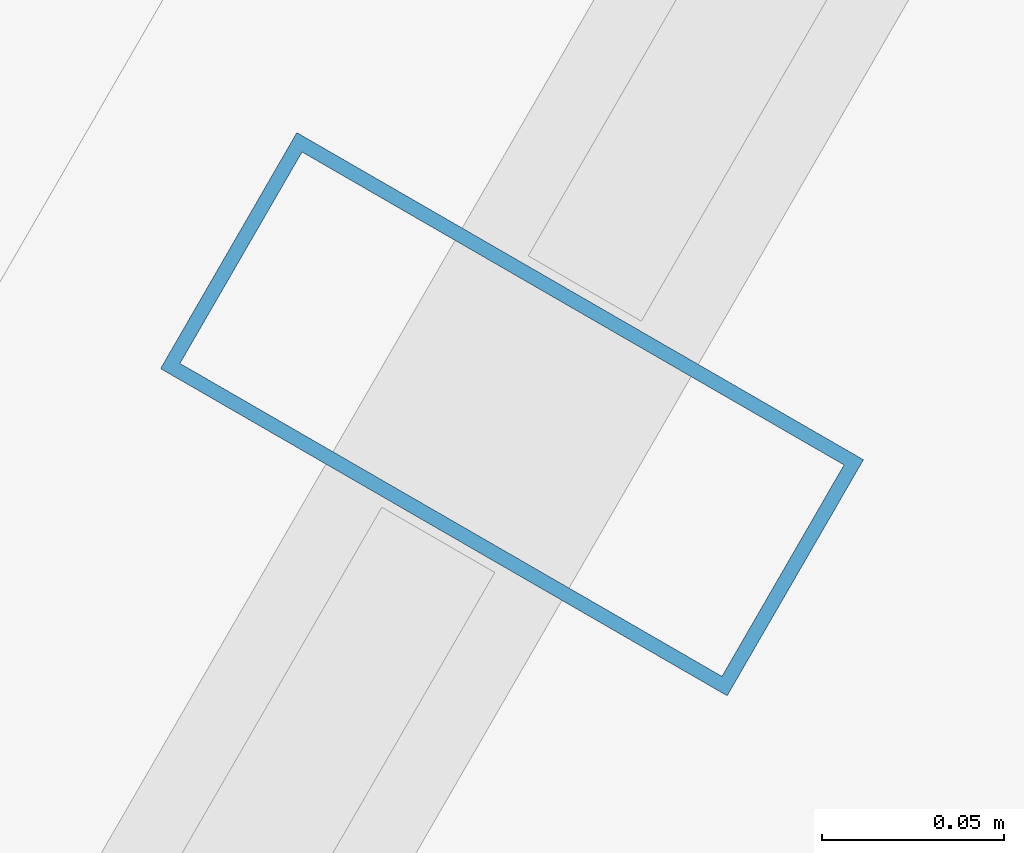
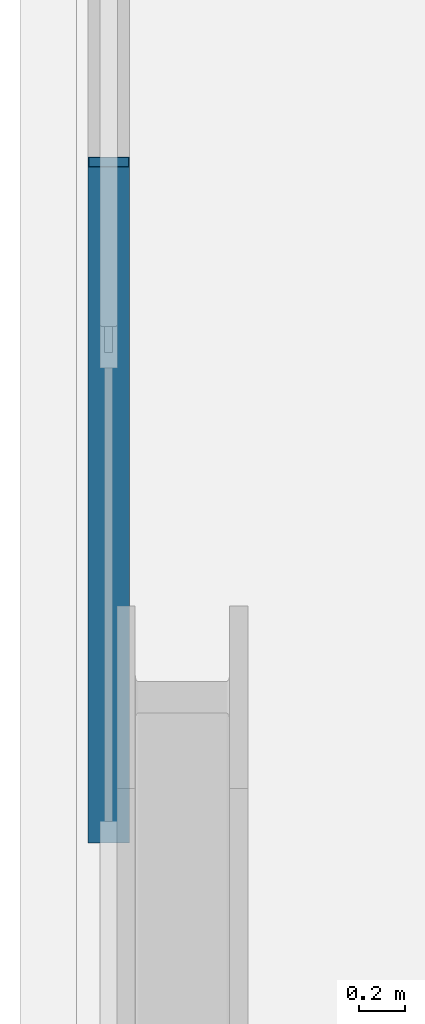
# One storey, part 12 of 32: 1 member, 1 element without a shape of its own.
"""IFC4 building model written with IfcOpenShell, lengths in metres."""

from ifc_helpers import new_model, si_unit, direction, frame, origin, origin_2d, place, context, subcontext, project, spatial, hollow_rectangle, extrude, material, layer, layer_set, material_profile, profile_set, type_object, element, aggregate, save


model = new_model("IFC4")

# Units and contexts
model_context = context("Model", 3, precision=1e-05, world=origin(), true_north=direction((0.0, 1.0)))
body_context = subcontext(model_context, "Body", "Model", "MODEL_VIEW")
ifc_project = project(units=[si_unit("LENGTHUNIT", "METRE"), si_unit("AREAUNIT", "SQUARE_METRE"), si_unit("VOLUMEUNIT", "CUBIC_METRE"), si_unit("PLANEANGLEUNIT", "RADIAN"), si_unit("MASSUNIT", "GRAM", prefix="KILO")], contexts=[model_context])

# Site, building, storey
site_placement = place(None, origin())
site = spatial("IfcSite", under=ifc_project, at=site_placement, CompositionType="ELEMENT")
building_placement = place(site_placement, origin())
building = spatial("IfcBuilding", under=site, at=building_placement, Name="Ndaravel Arena Tower", CompositionType="ELEMENT")
storey_placement = place(building_placement, frame((0.0, 0.0, 47.39990234375)))
storey = spatial("IfcBuildingStorey", under=building, at=storey_placement, Name="L09", CompositionType="ELEMENT", Elevation=47.39990234375)

# Curtain wall, member
ifc_material_1 = material(Name="Aluminium", Category="aluminium")
ifc_layer = layer(ifc_material_1, 0.179931640625)
ifc_layer_set = layer_set([ifc_layer], Name="Aluminium")
curtain_wall_type = type_object("IfcCurtainWallType", Name="CW-SYS-03", PredefinedType="NOTDEFINED", material=ifc_layer_set)
curtain_wall_placement = place(storey_placement, origin())
curtain_wall = element("IfcCurtainWall", 1, at=curtain_wall_placement, inside=storey, type_object=curtain_wall_type, Name="L09 Faceted Crystal Curtain Wall CW-L09-E05", PredefinedType="NOTDEFINED")
ifc_material_2 = material(Name="Aluminium", Category="aluminium")
ifc_material_profile = material_profile(ifc_material_2, hollow_rectangle(XDim=0.074951171875, YDim=0.179931640625, WallThickness=0.00390625, at=origin_2d()), Name="CW MULLION 75x180x4")
ifc_profile_set = profile_set([ifc_material_profile], Name="Aluminium")
member_type = type_object("IfcMemberType", Name="MEM-CW-MUL180", PredefinedType="MULLION", material=ifc_profile_set)
member_placement = place(storey_placement, frame((27.3525390625, 34.360595703125, 0.0), z_axis=(0.0, 0.0, 1.0), x_axis=(-0.5, -0.866025403784, 0.0)))
member = element("IfcMember", 2, at=member_placement, type_object=member_type, Name="CW-L09-E05 Mullion 03", PredefinedType="MULLION", context=body_context, shape_type="SweptSolid", body=[
    extrude(hollow_rectangle(XDim=0.074951171875, YDim=0.179931640625, WallThickness=0.00390625, at=origin_2d()), origin(), (0.0, 0.0, 1.0), 3.580078125),
])
aggregate(curtain_wall, [member])

save(model, "model.ifc")
